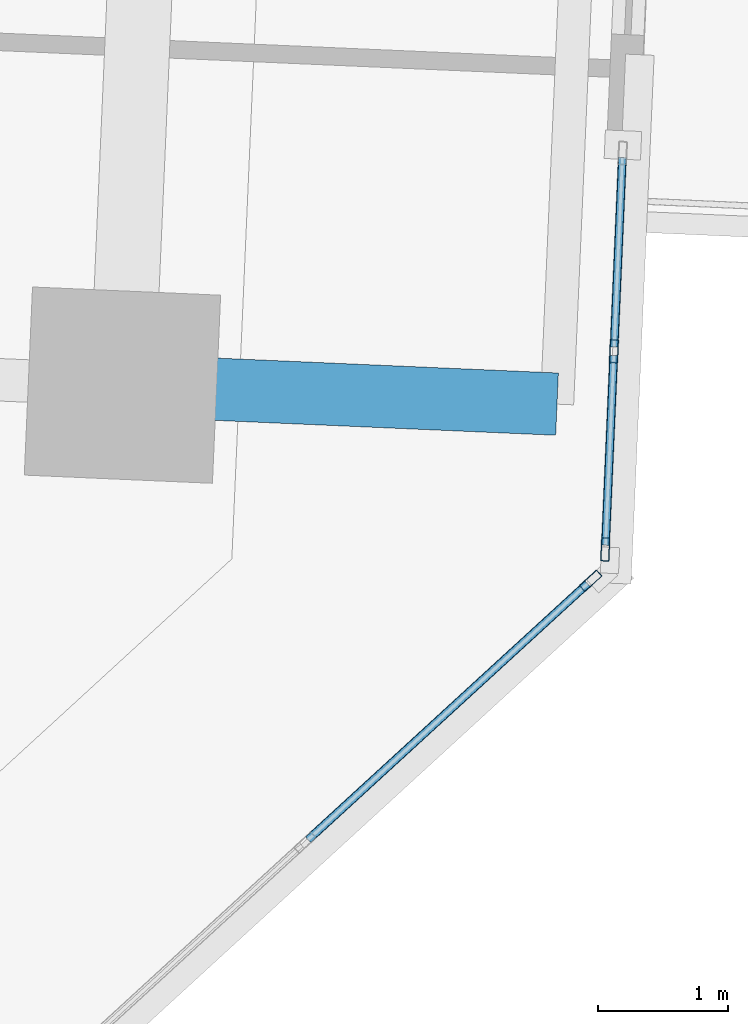
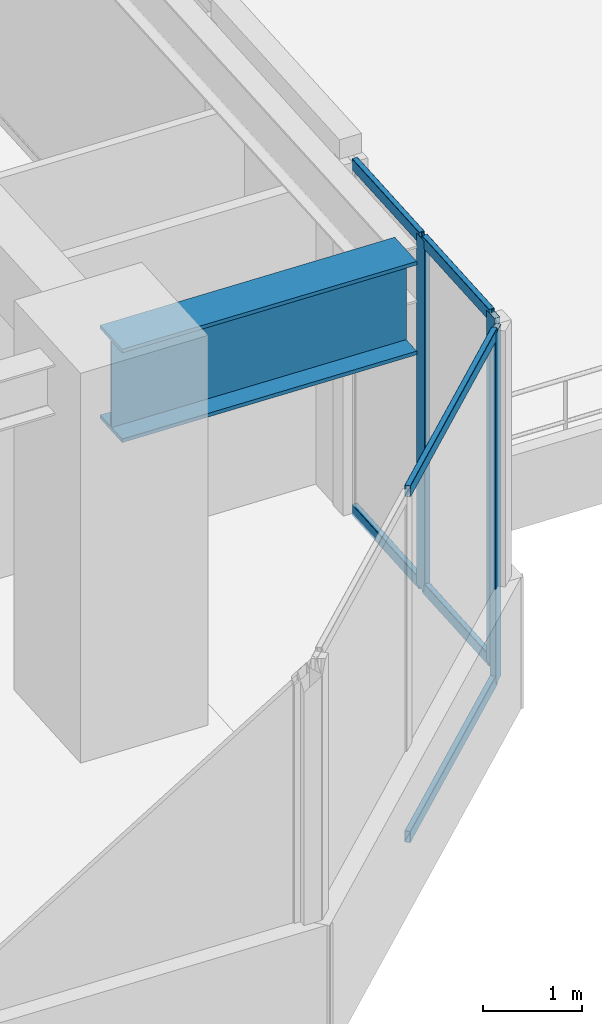
# One storey, part 13 of 33: 9 members, 1 beam, 2 elements without a shape of their own.
"""IFC4 building model written with IfcOpenShell, lengths in metres."""

from ifc_helpers import new_model, si_unit, direction, frame, origin, origin_2d, place, context, subcontext, project, spatial, hollow_rectangle, i_section, extrude, source, transform, mapped, material, material_profile, profile_set, type_object, element, aggregate, save


model = new_model("IFC4")

# Units and contexts
model_context = context("Model", 3, precision=1e-05, world=origin(), true_north=direction((0.0, 1.0)))
body_context = subcontext(model_context, "Body", "Model", "MODEL_VIEW")
ifc_project = project(units=[si_unit("LENGTHUNIT", "METRE"), si_unit("AREAUNIT", "SQUARE_METRE"), si_unit("VOLUMEUNIT", "CUBIC_METRE"), si_unit("PLANEANGLEUNIT", "RADIAN"), si_unit("MASSUNIT", "GRAM", prefix="KILO")], contexts=[model_context])

# Site, building, storey
site_placement = place(None, origin())
site = spatial("IfcSite", under=ifc_project, at=site_placement, CompositionType="ELEMENT")
building_placement = place(site_placement, origin())
building = spatial("IfcBuilding", under=site, at=building_placement, Name="Torre Montelarca", CompositionType="ELEMENT")
storey_placement = place(building_placement, frame((0.0, 0.0, 32.800048828125)))
storey = spatial("IfcBuildingStorey", under=building, at=storey_placement, Name="L07", CompositionType="ELEMENT", Elevation=32.800048828125)

# Beam
ifc_material_1 = material(Name="Steel ASTM A572 Grade 50", Category="steel")
ifc_material_profile_1 = material_profile(ifc_material_1, i_section(OverallWidth=0.47998046875, OverallDepth=1.14990234375, WebThickness=0.02197265625, FlangeThickness=0.044921875, at=origin_2d()), Name="PG1150X480X22X45", Category="steel")
ifc_profile_set_1 = profile_set([ifc_material_profile_1], Name="Steel ASTM A572 Grade 50")
beam_type = type_object("IfcBeamType", Name="BM-CG-PG1400-EXT", PredefinedType="USERDEFINED", material=ifc_profile_set_1)
shared_shape_1 = source(origin(), body_context, "Body", "SweptSolid", [
    extrude(i_section(OverallWidth=0.47998046875, OverallDepth=1.14990234375, WebThickness=0.02197265625, FlangeThickness=0.044921875, at=origin_2d()), origin(), (0.0, 0.0, 1.0), 3.349853515625),
])
beam_placement = place(storey_placement, frame((59.614501953125, 22.328369140625, 3.98486328125), z_axis=(0.999046646297, -0.043655452373, 0.0), x_axis=(0.043655452373, 0.999046646297, 0.0)))
element("IfcBeam", 1, at=beam_placement, inside=storey, type_object=beam_type, Name="L07 Sliding Tray Cantilever Girder East Y=24m (FLR)", ObjectType="CANTILEVER GIRDER", PredefinedType="USERDEFINED", context=body_context, shape_type="MappedRepresentation", body=[
    mapped(shared_shape_1, transform((0.0, 0.0, 0.0), scale=1.0)),
])

# Curtain wall, member
ifc_material_2 = material(Name="Insulated low-E laminated glass", Category="glass")
curtain_wall_type = type_object("IfcCurtainWallType", Name="CW-SYS-Z1", PredefinedType="USERDEFINED", material=ifc_material_2)
curtain_wall_1_placement = place(storey_placement, origin())
curtain_wall_1 = element("IfcCurtainWall", 2, at=curtain_wall_1_placement, inside=storey, type_object=curtain_wall_type, Name="L07 Curtain Wall Run CW-T3-L07-E05-B1", ObjectType="UNITISED GLAZING", PredefinedType="USERDEFINED")
ifc_material_3 = material(Name="Anodised aluminium AA 6063-T6", Category="aluminium")
ifc_material_profile_2 = material_profile(ifc_material_3, hollow_rectangle(XDim=0.06494140625, YDim=0.179931640625, WallThickness=0.00390625, InnerFilletRadius=0.00390625, OuterFilletRadius=0.008056640625, at=origin_2d()), Name="ALU65X180X4", Category="aluminium")
ifc_profile_set_2 = profile_set([ifc_material_profile_2], Name="Anodised aluminium AA 6063-T6")
member_type_1 = type_object("IfcMemberType", Name="CWM-ALU180", PredefinedType="MULLION", material=ifc_profile_set_2)
shared_shape_2 = source(origin(), body_context, "Body", "SweptSolid", [
    extrude(hollow_rectangle(XDim=0.06494140625, YDim=0.179931640625, WallThickness=0.00390625, InnerFilletRadius=0.00390625, OuterFilletRadius=0.008056640625, at=origin_2d()), origin(), (0.0, 0.0, 1.0), 4.320068359375),
])
member_1_placement = place(storey_placement, frame((63.219970703125, 20.8212890625, 0.0), z_axis=(0.0, 0.0, 1.0), x_axis=(-0.675574480513, 0.737291747736, 0.0)))
member_1 = element("IfcMember", 3, at=member_1_placement, type_object=member_type_1, Name="CW mullion 3", PredefinedType="MULLION", context=body_context, shape_type="MappedRepresentation", body=[
    mapped(shared_shape_2, transform((0.0, 0.0, 0.0), scale=1.0)),
])

# Curtain wall, members
curtain_wall_2_placement = place(storey_placement, origin())
curtain_wall_2 = element("IfcCurtainWall", 4, at=curtain_wall_2_placement, inside=storey, type_object=curtain_wall_type, Name="L07 Curtain Wall Run CW-T3-L07-E06-B1", ObjectType="UNITISED GLAZING", PredefinedType="USERDEFINED")
member_2_placement = place(storey_placement, frame((63.332763671875, 21.063232421875, 0.0), z_axis=(0.0, 0.0, 1.0), x_axis=(-0.999048098092, 0.043622215647, 0.0)))
member_2 = element("IfcMember", 5, at=member_2_placement, type_object=member_type_1, Name="CW mullion 1", PredefinedType="MULLION", context=body_context, shape_type="MappedRepresentation", body=[
    mapped(shared_shape_2, transform((0.0, 0.0, 0.0), scale=1.0)),
])
member_3_placement = place(storey_placement, frame((63.3994140625, 22.58935546875, 0.0), z_axis=(0.0, 0.0, 1.0), x_axis=(-0.999048098092, 0.043622215647, 0.0)))
member_3 = element("IfcMember", 6, at=member_3_placement, type_object=member_type_1, Name="CW mullion 2", PredefinedType="MULLION", context=body_context, shape_type="MappedRepresentation", body=[
    mapped(shared_shape_2, transform((0.0, 0.0, 0.0), scale=1.0)),
])

# Member
ifc_material_profile_3 = material_profile(ifc_material_3, hollow_rectangle(XDim=0.06494140625, YDim=0.139892578125, WallThickness=0.00390625, InnerFilletRadius=0.00390625, OuterFilletRadius=0.008056640625, at=origin_2d()), Name="ALU65X140X4", Category="aluminium")
ifc_profile_set_3 = profile_set([ifc_material_profile_3], Name="Anodised aluminium AA 6063-T6")
member_type_2 = type_object("IfcMemberType", Name="CWT-ALU140", PredefinedType="USERDEFINED", material=ifc_profile_set_3)
shared_shape_3 = source(origin(), body_context, "Body", "SweptSolid", [
    extrude(hollow_rectangle(XDim=0.06494140625, YDim=0.139892578125, WallThickness=0.00390625, InnerFilletRadius=0.00390625, OuterFilletRadius=0.008056640625, at=origin_2d()), origin(), (0.0, 0.0, 1.0), 2.918701171875),
])
member_4_placement = place(storey_placement, frame((61.044189453125, 18.827392578125, 0.032470703125), z_axis=(0.737258294732, 0.675610987809, 0.0), x_axis=(-0.675610987809, 0.737258294732, 0.0)))
member_4 = element("IfcMember", 7, at=member_4_placement, type_object=member_type_2, Name="CW transom 2.1", ObjectType="TRANSOM", PredefinedType="USERDEFINED", context=body_context, shape_type="MappedRepresentation", body=[
    mapped(shared_shape_3, transform((0.0, 0.0, 0.0), scale=1.0)),
])

member_5_placement = place(storey_placement, frame((61.044189453125, 18.827392578125, 4.287353515625), z_axis=(0.737258294732, 0.675610987809, 0.0), x_axis=(-0.675610987809, 0.737258294732, 0.0)))
member_5 = element("IfcMember", 8, at=member_5_placement, type_object=member_type_2, Name="CW transom 2.2", ObjectType="TRANSOM", PredefinedType="USERDEFINED", context=body_context, shape_type="MappedRepresentation", body=[
    mapped(shared_shape_3, transform((0.0, 0.0, 0.0), scale=1.0)),
])

aggregate(curtain_wall_1, [member_1, member_4, member_5])

shared_shape_4 = source(origin(), body_context, "Body", "SweptSolid", [
    extrude(hollow_rectangle(XDim=0.06494140625, YDim=0.139892578125, WallThickness=0.00390625, InnerFilletRadius=0.00390625, OuterFilletRadius=0.008056640625, at=origin_2d()), origin(), (0.0, 0.0, 1.0), 1.462646484375),
])
member_6_placement = place(storey_placement, frame((63.334228515625, 21.095703125, 0.032470703125), z_axis=(0.043567614947, 0.99905048067, 0.0), x_axis=(-0.99905048067, 0.043567614947, 0.0)))
member_6 = element("IfcMember", 9, at=member_6_placement, type_object=member_type_2, Name="CW transom 1.1", ObjectType="TRANSOM", PredefinedType="USERDEFINED", context=body_context, shape_type="MappedRepresentation", body=[
    mapped(shared_shape_4, transform((0.0, 0.0, 0.0), scale=1.0)),
])

member_7_placement = place(storey_placement, frame((63.334228515625, 21.095703125, 4.287353515625), z_axis=(0.043567614947, 0.99905048067, 0.0), x_axis=(-0.99905048067, 0.043567614947, 0.0)))
member_7 = element("IfcMember", 10, at=member_7_placement, type_object=member_type_2, Name="CW transom 1.2", ObjectType="TRANSOM", PredefinedType="USERDEFINED", context=body_context, shape_type="MappedRepresentation", body=[
    mapped(shared_shape_4, transform((0.0, 0.0, 0.0), scale=1.0)),
])

shared_shape_5 = source(origin(), body_context, "Body", "SweptSolid", [
    extrude(hollow_rectangle(XDim=0.06494140625, YDim=0.139892578125, WallThickness=0.00390625, InnerFilletRadius=0.00390625, OuterFilletRadius=0.008056640625, at=origin_2d()), origin(), (0.0, 0.0, 1.0), 1.46240234375),
])
member_8_placement = place(storey_placement, frame((63.40087890625, 22.621826171875, 0.032470703125), z_axis=(0.043574881808, 0.999050163743, 0.0), x_axis=(-0.999050163743, 0.043574881808, 0.0)))
member_8 = element("IfcMember", 11, at=member_8_placement, type_object=member_type_2, Name="CW transom 2.1", ObjectType="TRANSOM", PredefinedType="USERDEFINED", context=body_context, shape_type="MappedRepresentation", body=[
    mapped(shared_shape_5, transform((0.0, 0.0, 0.0), scale=1.0)),
])

member_9_placement = place(storey_placement, frame((63.40087890625, 22.621826171875, 4.287353515625), z_axis=(0.043574881808, 0.999050163743, 0.0), x_axis=(-0.999050163743, 0.043574881808, 0.0)))
member_9 = element("IfcMember", 12, at=member_9_placement, type_object=member_type_2, Name="CW transom 2.2", ObjectType="TRANSOM", PredefinedType="USERDEFINED", context=body_context, shape_type="MappedRepresentation", body=[
    mapped(shared_shape_5, transform((0.0, 0.0, 0.0), scale=1.0)),
])

aggregate(curtain_wall_2, [member_2, member_3, member_6, member_7, member_8, member_9])

save(model, "model.ifc")
